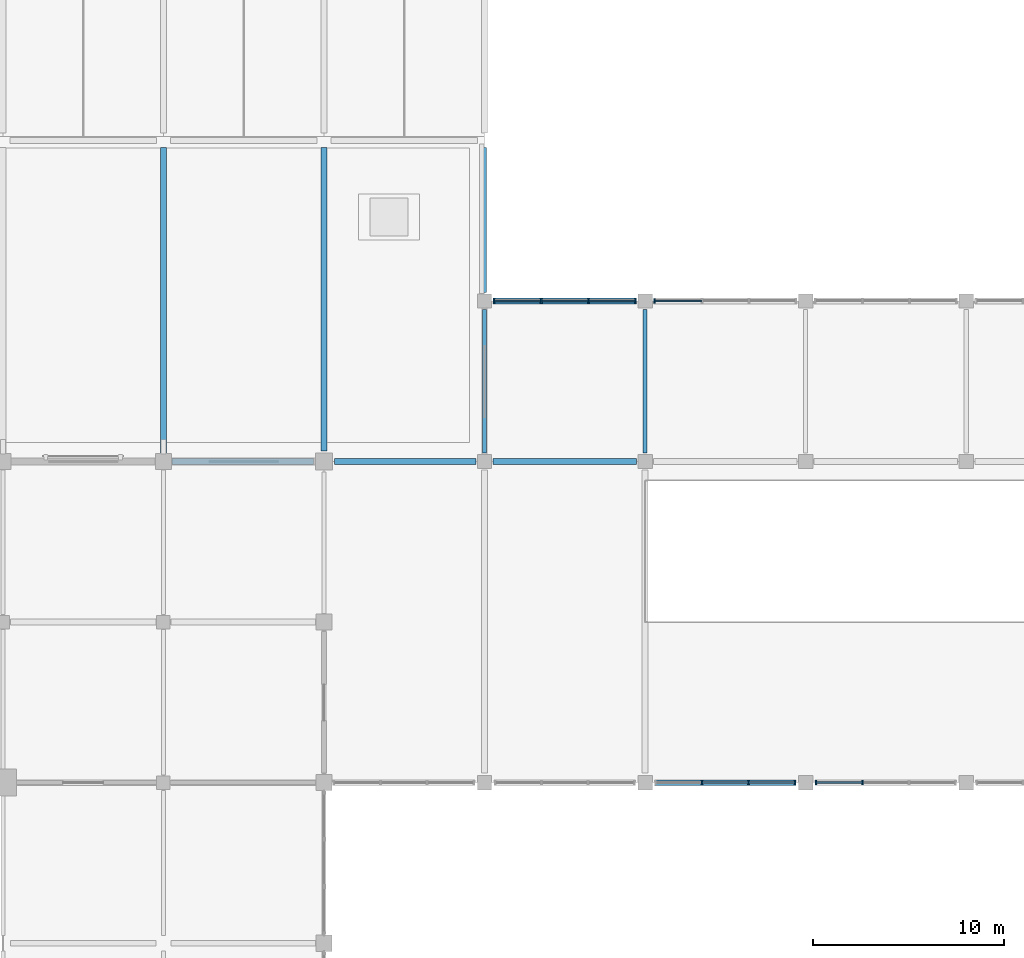
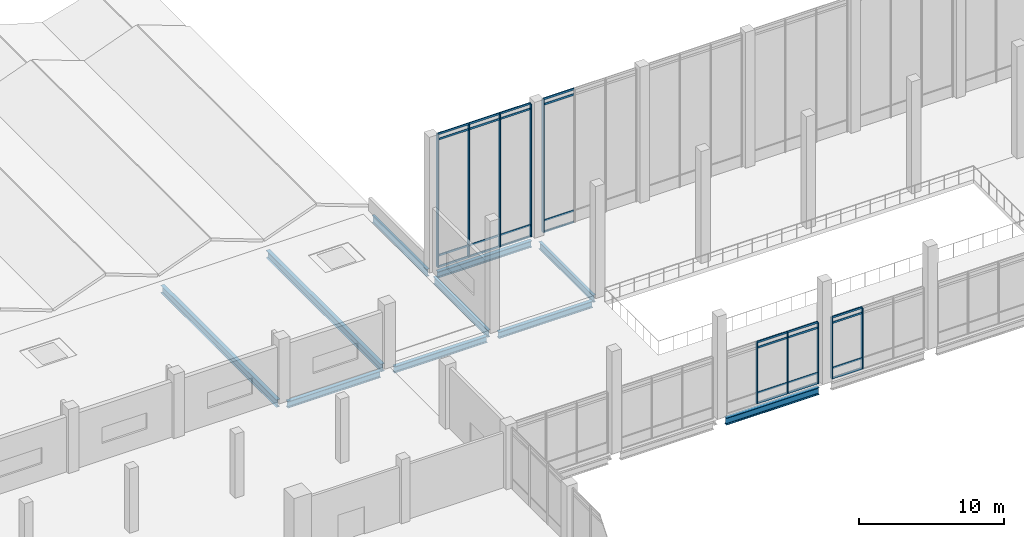
# One storey, part 16 of 72: 38 members, 10 beams, 4 elements without a shape of their own.
"""IFC4 building model written with IfcOpenShell, lengths in metres."""

from ifc_helpers import new_model, si_unit, direction, frame, origin, origin_2d, place, context, subcontext, project, spatial, rectangle, i_section, extrude, material, layer, layer_set, material_profile, profile_set, type_object, element, aggregate, save


model = new_model("IFC4")

# Units and contexts
model_context = context("Model", 3, precision=1e-05, world=origin(), true_north=direction((0.0, 1.0)))
body_context = subcontext(model_context, "Body", "Model", "MODEL_VIEW")
ifc_project = project(units=[si_unit("LENGTHUNIT", "METRE"), si_unit("AREAUNIT", "SQUARE_METRE"), si_unit("VOLUMEUNIT", "CUBIC_METRE"), si_unit("PLANEANGLEUNIT", "RADIAN"), si_unit("MASSUNIT", "GRAM", prefix="KILO")], contexts=[model_context])

# Site, building, storey
site_placement = place(None, origin())
site = spatial("IfcSite", under=ifc_project, at=site_placement, CompositionType="ELEMENT")
building_placement = place(site_placement, origin())
building = spatial("IfcBuilding", under=site, at=building_placement, Name="Qawsi Khor Wholesale Market", CompositionType="ELEMENT")
storey_placement = place(building_placement, frame((0.0, 0.0, 6.0)))
storey = spatial("IfcBuildingStorey", under=building, at=storey_placement, Name="L01", CompositionType="ELEMENT", Elevation=6.0)

# Curtain wall, members
ifc_material_1 = material(Name="Aluminium Anodised Bronze", Category="aluminium")
ifc_layer = layer(ifc_material_1, 0.219970703125, Name="Aluminium Anodised Bronze")
ifc_layer_set = layer_set([ifc_layer], Name="Aluminium Anodised Bronze")
curtain_wall_type = type_object("IfcCurtainWallType", Name="Auction Clerestory Curtain Wall CW-04", PredefinedType="NOTDEFINED", material=ifc_layer_set)
curtain_wall_1_placement = place(storey_placement, origin())
curtain_wall_1 = element("IfcCurtainWall", 1, at=curtain_wall_1_placement, inside=storey, type_object=curtain_wall_type, Name="Curtain wall CW-CW-04-L01-101", PredefinedType="NOTDEFINED")
ifc_material_profile_1 = material_profile(ifc_material_1, rectangle(XDim=0.080078125, YDim=0.239990234375, at=origin_2d()), Name="ALU MULLION 80x240")
ifc_profile_set_1 = profile_set([ifc_material_profile_1], Name="Aluminium Anodised Bronze")
member_type_1 = type_object("IfcMemberType", Name="Curtain Wall Mullion CW-04 ALU MULLION 80x240", PredefinedType="MULLION", material=ifc_profile_set_1)
member_1_placement = place(storey_placement, frame((84.5, 117.60009765625, -0.02001953125), z_axis=(0.0, 0.0, 1.0), x_axis=(1.0, 0.0, 0.0)))
member_1 = element("IfcMember", 2, at=member_1_placement, type_object=member_type_1, Name="Mullion CW-CW-04-L01-101-M00", PredefinedType="MULLION", context=body_context, shape_type="SweptSolid", body=[
    extrude(rectangle(XDim=0.080078125, YDim=0.239990234375, at=origin_2d()), origin(), (0.0, 0.0, 1.0), 11.219970703125),
])
member_2_placement = place(storey_placement, frame((86.966796875, 117.60009765625, -0.02001953125), z_axis=(0.0, 0.0, 1.0), x_axis=(1.0, 0.0, 0.0)))
member_2 = element("IfcMember", 3, at=member_2_placement, type_object=member_type_1, Name="Mullion CW-CW-04-L01-101-M01", PredefinedType="MULLION", context=body_context, shape_type="SweptSolid", body=[
    extrude(rectangle(XDim=0.080078125, YDim=0.239990234375, at=origin_2d()), origin(), (0.0, 0.0, 1.0), 11.219970703125),
])
member_3_placement = place(storey_placement, frame((89.433349609375, 117.60009765625, -0.02001953125), z_axis=(0.0, 0.0, 1.0), x_axis=(1.0, 0.0, 0.0)))
member_3 = element("IfcMember", 4, at=member_3_placement, type_object=member_type_1, Name="Mullion CW-CW-04-L01-101-M02", PredefinedType="MULLION", context=body_context, shape_type="SweptSolid", body=[
    extrude(rectangle(XDim=0.080078125, YDim=0.239990234375, at=origin_2d()), origin(), (0.0, 0.0, 1.0), 11.219970703125),
])
member_4_placement = place(storey_placement, frame((91.89990234375, 117.60009765625, -0.02001953125), z_axis=(0.0, 0.0, 1.0), x_axis=(1.0, 0.0, 0.0)))
member_4 = element("IfcMember", 5, at=member_4_placement, type_object=member_type_1, Name="Mullion CW-CW-04-L01-101-M03", PredefinedType="MULLION", context=body_context, shape_type="SweptSolid", body=[
    extrude(rectangle(XDim=0.080078125, YDim=0.239990234375, at=origin_2d()), origin(), (0.0, 0.0, 1.0), 11.219970703125),
])

curtain_wall_2_placement = place(storey_placement, origin())
curtain_wall_2 = element("IfcCurtainWall", 6, at=curtain_wall_2_placement, inside=storey, type_object=curtain_wall_type, Name="Curtain wall CW-CW-04-L01-103", PredefinedType="NOTDEFINED")
member_5_placement = place(storey_placement, frame((95.38330078125, 92.39990234375, -0.02001953125), z_axis=(0.0, 0.0, 1.0), x_axis=(1.0, 0.0, 0.0)))
member_5 = element("IfcMember", 7, at=member_5_placement, type_object=member_type_1, Name="Mullion CW-CW-04-L01-103-M01", PredefinedType="MULLION", context=body_context, shape_type="SweptSolid", body=[
    extrude(rectangle(XDim=0.080078125, YDim=0.239990234375, at=origin_2d()), origin(), (0.0, 0.0, 1.0), 5.14013671875),
])
member_6_placement = place(storey_placement, frame((97.816650390625, 92.39990234375, -0.02001953125), z_axis=(0.0, 0.0, 1.0), x_axis=(1.0, 0.0, 0.0)))
member_6 = element("IfcMember", 8, at=member_6_placement, type_object=member_type_1, Name="Mullion CW-CW-04-L01-103-M02", PredefinedType="MULLION", context=body_context, shape_type="SweptSolid", body=[
    extrude(rectangle(XDim=0.080078125, YDim=0.239990234375, at=origin_2d()), origin(), (0.0, 0.0, 1.0), 5.14013671875),
])
member_7_placement = place(storey_placement, frame((100.25, 92.39990234375, -0.02001953125), z_axis=(0.0, 0.0, 1.0), x_axis=(1.0, 0.0, 0.0)))
member_7 = element("IfcMember", 9, at=member_7_placement, type_object=member_type_1, Name="Mullion CW-CW-04-L01-103-M03", PredefinedType="MULLION", context=body_context, shape_type="SweptSolid", body=[
    extrude(rectangle(XDim=0.080078125, YDim=0.239990234375, at=origin_2d()), origin(), (0.0, 0.0, 1.0), 5.14013671875),
])

# Curtain wall, member
curtain_wall_3_placement = place(storey_placement, origin())
curtain_wall_3 = element("IfcCurtainWall", 10, at=curtain_wall_3_placement, inside=storey, type_object=curtain_wall_type, Name="Curtain wall CW-CW-04-L01-104", PredefinedType="NOTDEFINED")
member_8_placement = place(storey_placement, frame((92.89990234375, 117.60009765625, -0.02001953125), z_axis=(0.0, 0.0, 1.0), x_axis=(1.0, 0.0, 0.0)))
member_8 = element("IfcMember", 11, at=member_8_placement, type_object=member_type_1, Name="Mullion CW-CW-04-L01-104-M00", PredefinedType="MULLION", context=body_context, shape_type="SweptSolid", body=[
    extrude(rectangle(XDim=0.080078125, YDim=0.239990234375, at=origin_2d()), origin(), (0.0, 0.0, 1.0), 11.219970703125),
])

# Curtain wall, members
curtain_wall_4_placement = place(storey_placement, origin())
curtain_wall_4 = element("IfcCurtainWall", 12, at=curtain_wall_4_placement, inside=storey, type_object=curtain_wall_type, Name="Curtain wall CW-CW-04-L01-106", PredefinedType="NOTDEFINED")
member_9_placement = place(storey_placement, frame((101.35009765625, 92.39990234375, -0.02001953125), z_axis=(0.0, 0.0, 1.0), x_axis=(1.0, 0.0, 0.0)))
member_9 = element("IfcMember", 13, at=member_9_placement, type_object=member_type_1, Name="Mullion CW-CW-04-L01-106-M00", PredefinedType="MULLION", context=body_context, shape_type="SweptSolid", body=[
    extrude(rectangle(XDim=0.080078125, YDim=0.239990234375, at=origin_2d()), origin(), (0.0, 0.0, 1.0), 5.14013671875),
])
member_10_placement = place(storey_placement, frame((103.783203125, 92.39990234375, -0.02001953125), z_axis=(0.0, 0.0, 1.0), x_axis=(1.0, 0.0, 0.0)))
member_10 = element("IfcMember", 14, at=member_10_placement, type_object=member_type_1, Name="Mullion CW-CW-04-L01-106-M01", PredefinedType="MULLION", context=body_context, shape_type="SweptSolid", body=[
    extrude(rectangle(XDim=0.080078125, YDim=0.239990234375, at=origin_2d()), origin(), (0.0, 0.0, 1.0), 5.14013671875),
])

# Member
ifc_material_profile_2 = material_profile(ifc_material_1, rectangle(XDim=0.074951171875, YDim=0.159912109375, at=origin_2d()), Name="ALU TRANSOM 75x160")
ifc_profile_set_2 = profile_set([ifc_material_profile_2], Name="Aluminium Anodised Bronze")
member_type_2 = type_object("IfcMemberType", Name="Curtain Wall Transom CW-04 ALU TRANSOM 75x160", PredefinedType="USERDEFINED", material=ifc_profile_set_2)
member_11_placement = place(storey_placement, frame((84.5, 117.60009765625, 0.0), z_axis=(1.0, 0.0, 0.0), x_axis=(0.0, 1.0, 0.0)))
member_11 = element("IfcMember", 15, at=member_11_placement, type_object=member_type_2, Name="Transom CW-CW-04-L01-101-T0_00", ObjectType="TRANSOM", PredefinedType="USERDEFINED", context=body_context, shape_type="SweptSolid", body=[
    extrude(rectangle(XDim=0.074951171875, YDim=0.159912109375, at=origin_2d()), origin(), (0.0, 0.0, 1.0), 2.466796875),
])

member_12_placement = place(storey_placement, frame((86.966796875, 117.60009765625, 0.0), z_axis=(1.0, 0.0, 0.0), x_axis=(0.0, 1.0, 0.0)))
member_12 = element("IfcMember", 16, at=member_12_placement, type_object=member_type_2, Name="Transom CW-CW-04-L01-101-T0_01", ObjectType="TRANSOM", PredefinedType="USERDEFINED", context=body_context, shape_type="SweptSolid", body=[
    extrude(rectangle(XDim=0.074951171875, YDim=0.159912109375, at=origin_2d()), origin(), (0.0, 0.0, 1.0), 2.466552734375),
])

member_13_placement = place(storey_placement, frame((89.433349609375, 117.60009765625, 0.0), z_axis=(1.0, 0.0, 0.0), x_axis=(0.0, 1.0, 0.0)))
member_13 = element("IfcMember", 17, at=member_13_placement, type_object=member_type_2, Name="Transom CW-CW-04-L01-101-T0_02", ObjectType="TRANSOM", PredefinedType="USERDEFINED", context=body_context, shape_type="SweptSolid", body=[
    extrude(rectangle(XDim=0.074951171875, YDim=0.159912109375, at=origin_2d()), origin(), (0.0, 0.0, 1.0), 2.466552734375),
])

member_14_placement = place(storey_placement, frame((84.5, 117.60009765625, 0.949951171875), z_axis=(1.0, 0.0, 0.0), x_axis=(0.0, 1.0, 0.0)))
member_14 = element("IfcMember", 18, at=member_14_placement, type_object=member_type_2, Name="Transom CW-CW-04-L01-101-T1_00", ObjectType="TRANSOM", PredefinedType="USERDEFINED", context=body_context, shape_type="SweptSolid", body=[
    extrude(rectangle(XDim=0.074951171875, YDim=0.159912109375, at=origin_2d()), origin(), (0.0, 0.0, 1.0), 2.466796875),
])

member_15_placement = place(storey_placement, frame((86.966796875, 117.60009765625, 0.949951171875), z_axis=(1.0, 0.0, 0.0), x_axis=(0.0, 1.0, 0.0)))
member_15 = element("IfcMember", 19, at=member_15_placement, type_object=member_type_2, Name="Transom CW-CW-04-L01-101-T1_01", ObjectType="TRANSOM", PredefinedType="USERDEFINED", context=body_context, shape_type="SweptSolid", body=[
    extrude(rectangle(XDim=0.074951171875, YDim=0.159912109375, at=origin_2d()), origin(), (0.0, 0.0, 1.0), 2.466552734375),
])

member_16_placement = place(storey_placement, frame((89.433349609375, 117.60009765625, 0.949951171875), z_axis=(1.0, 0.0, 0.0), x_axis=(0.0, 1.0, 0.0)))
member_16 = element("IfcMember", 20, at=member_16_placement, type_object=member_type_2, Name="Transom CW-CW-04-L01-101-T1_02", ObjectType="TRANSOM", PredefinedType="USERDEFINED", context=body_context, shape_type="SweptSolid", body=[
    extrude(rectangle(XDim=0.074951171875, YDim=0.159912109375, at=origin_2d()), origin(), (0.0, 0.0, 1.0), 2.466552734375),
])

member_17_placement = place(storey_placement, frame((84.5, 117.60009765625, 10.75), z_axis=(1.0, 0.0, 0.0), x_axis=(0.0, 1.0, 0.0)))
member_17 = element("IfcMember", 21, at=member_17_placement, type_object=member_type_2, Name="Transom CW-CW-04-L01-101-T2_00", ObjectType="TRANSOM", PredefinedType="USERDEFINED", context=body_context, shape_type="SweptSolid", body=[
    extrude(rectangle(XDim=0.074951171875, YDim=0.159912109375, at=origin_2d()), origin(), (0.0, 0.0, 1.0), 2.466796875),
])

member_18_placement = place(storey_placement, frame((86.966796875, 117.60009765625, 10.75), z_axis=(1.0, 0.0, 0.0), x_axis=(0.0, 1.0, 0.0)))
member_18 = element("IfcMember", 22, at=member_18_placement, type_object=member_type_2, Name="Transom CW-CW-04-L01-101-T2_01", ObjectType="TRANSOM", PredefinedType="USERDEFINED", context=body_context, shape_type="SweptSolid", body=[
    extrude(rectangle(XDim=0.074951171875, YDim=0.159912109375, at=origin_2d()), origin(), (0.0, 0.0, 1.0), 2.466552734375),
])

member_19_placement = place(storey_placement, frame((89.433349609375, 117.60009765625, 10.75), z_axis=(1.0, 0.0, 0.0), x_axis=(0.0, 1.0, 0.0)))
member_19 = element("IfcMember", 23, at=member_19_placement, type_object=member_type_2, Name="Transom CW-CW-04-L01-101-T2_02", ObjectType="TRANSOM", PredefinedType="USERDEFINED", context=body_context, shape_type="SweptSolid", body=[
    extrude(rectangle(XDim=0.074951171875, YDim=0.159912109375, at=origin_2d()), origin(), (0.0, 0.0, 1.0), 2.466552734375),
])

member_20_placement = place(storey_placement, frame((84.5, 117.60009765625, 11.199951171875), z_axis=(1.0, 0.0, 0.0), x_axis=(0.0, 1.0, 0.0)))
member_20 = element("IfcMember", 24, at=member_20_placement, type_object=member_type_2, Name="Transom CW-CW-04-L01-101-T3_00", ObjectType="TRANSOM", PredefinedType="USERDEFINED", context=body_context, shape_type="SweptSolid", body=[
    extrude(rectangle(XDim=0.074951171875, YDim=0.159912109375, at=origin_2d()), origin(), (0.0, 0.0, 1.0), 2.466796875),
])

member_21_placement = place(storey_placement, frame((86.966796875, 117.60009765625, 11.199951171875), z_axis=(1.0, 0.0, 0.0), x_axis=(0.0, 1.0, 0.0)))
member_21 = element("IfcMember", 25, at=member_21_placement, type_object=member_type_2, Name="Transom CW-CW-04-L01-101-T3_01", ObjectType="TRANSOM", PredefinedType="USERDEFINED", context=body_context, shape_type="SweptSolid", body=[
    extrude(rectangle(XDim=0.074951171875, YDim=0.159912109375, at=origin_2d()), origin(), (0.0, 0.0, 1.0), 2.466552734375),
])

member_22_placement = place(storey_placement, frame((89.433349609375, 117.60009765625, 11.199951171875), z_axis=(1.0, 0.0, 0.0), x_axis=(0.0, 1.0, 0.0)))
member_22 = element("IfcMember", 26, at=member_22_placement, type_object=member_type_2, Name="Transom CW-CW-04-L01-101-T3_02", ObjectType="TRANSOM", PredefinedType="USERDEFINED", context=body_context, shape_type="SweptSolid", body=[
    extrude(rectangle(XDim=0.074951171875, YDim=0.159912109375, at=origin_2d()), origin(), (0.0, 0.0, 1.0), 2.466552734375),
])

aggregate(curtain_wall_1, [member_1, member_2, member_3, member_4, member_11, member_12, member_13, member_14, member_15, member_16, member_17, member_18, member_19, member_20, member_21, member_22])

member_23_placement = place(storey_placement, frame((95.38330078125, 92.39990234375, 0.0), z_axis=(1.0, 0.0, 0.0), x_axis=(0.0, 1.0, 0.0)))
member_23 = element("IfcMember", 27, at=member_23_placement, type_object=member_type_2, Name="Transom CW-CW-04-L01-103-T0_01", ObjectType="TRANSOM", PredefinedType="USERDEFINED", context=body_context, shape_type="SweptSolid", body=[
    extrude(rectangle(XDim=0.074951171875, YDim=0.159912109375, at=origin_2d()), origin(), (0.0, 0.0, 1.0), 2.433349609375),
])

member_24_placement = place(storey_placement, frame((97.816650390625, 92.39990234375, 0.0), z_axis=(1.0, 0.0, 0.0), x_axis=(0.0, 1.0, 0.0)))
member_24 = element("IfcMember", 28, at=member_24_placement, type_object=member_type_2, Name="Transom CW-CW-04-L01-103-T0_02", ObjectType="TRANSOM", PredefinedType="USERDEFINED", context=body_context, shape_type="SweptSolid", body=[
    extrude(rectangle(XDim=0.074951171875, YDim=0.159912109375, at=origin_2d()), origin(), (0.0, 0.0, 1.0), 2.433349609375),
])

member_25_placement = place(storey_placement, frame((95.38330078125, 92.39990234375, 0.85009765625), z_axis=(1.0, 0.0, 0.0), x_axis=(0.0, 1.0, 0.0)))
member_25 = element("IfcMember", 29, at=member_25_placement, type_object=member_type_2, Name="Transom CW-CW-04-L01-103-T1_01", ObjectType="TRANSOM", PredefinedType="USERDEFINED", context=body_context, shape_type="SweptSolid", body=[
    extrude(rectangle(XDim=0.074951171875, YDim=0.159912109375, at=origin_2d()), origin(), (0.0, 0.0, 1.0), 2.433349609375),
])

member_26_placement = place(storey_placement, frame((97.816650390625, 92.39990234375, 0.85009765625), z_axis=(1.0, 0.0, 0.0), x_axis=(0.0, 1.0, 0.0)))
member_26 = element("IfcMember", 30, at=member_26_placement, type_object=member_type_2, Name="Transom CW-CW-04-L01-103-T1_02", ObjectType="TRANSOM", PredefinedType="USERDEFINED", context=body_context, shape_type="SweptSolid", body=[
    extrude(rectangle(XDim=0.074951171875, YDim=0.159912109375, at=origin_2d()), origin(), (0.0, 0.0, 1.0), 2.433349609375),
])

member_27_placement = place(storey_placement, frame((95.38330078125, 92.39990234375, 4.669921875), z_axis=(1.0, 0.0, 0.0), x_axis=(0.0, 1.0, 0.0)))
member_27 = element("IfcMember", 31, at=member_27_placement, type_object=member_type_2, Name="Transom CW-CW-04-L01-103-T2_01", ObjectType="TRANSOM", PredefinedType="USERDEFINED", context=body_context, shape_type="SweptSolid", body=[
    extrude(rectangle(XDim=0.074951171875, YDim=0.159912109375, at=origin_2d()), origin(), (0.0, 0.0, 1.0), 2.433349609375),
])

member_28_placement = place(storey_placement, frame((97.816650390625, 92.39990234375, 4.669921875), z_axis=(1.0, 0.0, 0.0), x_axis=(0.0, 1.0, 0.0)))
member_28 = element("IfcMember", 32, at=member_28_placement, type_object=member_type_2, Name="Transom CW-CW-04-L01-103-T2_02", ObjectType="TRANSOM", PredefinedType="USERDEFINED", context=body_context, shape_type="SweptSolid", body=[
    extrude(rectangle(XDim=0.074951171875, YDim=0.159912109375, at=origin_2d()), origin(), (0.0, 0.0, 1.0), 2.433349609375),
])

member_29_placement = place(storey_placement, frame((95.38330078125, 92.39990234375, 5.1201171875), z_axis=(1.0, 0.0, 0.0), x_axis=(0.0, 1.0, 0.0)))
member_29 = element("IfcMember", 33, at=member_29_placement, type_object=member_type_2, Name="Transom CW-CW-04-L01-103-T3_01", ObjectType="TRANSOM", PredefinedType="USERDEFINED", context=body_context, shape_type="SweptSolid", body=[
    extrude(rectangle(XDim=0.074951171875, YDim=0.159912109375, at=origin_2d()), origin(), (0.0, 0.0, 1.0), 2.433349609375),
])

member_30_placement = place(storey_placement, frame((97.816650390625, 92.39990234375, 5.1201171875), z_axis=(1.0, 0.0, 0.0), x_axis=(0.0, 1.0, 0.0)))
member_30 = element("IfcMember", 34, at=member_30_placement, type_object=member_type_2, Name="Transom CW-CW-04-L01-103-T3_02", ObjectType="TRANSOM", PredefinedType="USERDEFINED", context=body_context, shape_type="SweptSolid", body=[
    extrude(rectangle(XDim=0.074951171875, YDim=0.159912109375, at=origin_2d()), origin(), (0.0, 0.0, 1.0), 2.433349609375),
])

aggregate(curtain_wall_2, [member_5, member_6, member_7, member_23, member_24, member_25, member_26, member_27, member_28, member_29, member_30])

member_31_placement = place(storey_placement, frame((92.89990234375, 117.60009765625, 0.0), z_axis=(1.0, 0.0, 0.0), x_axis=(0.0, 1.0, 0.0)))
member_31 = element("IfcMember", 35, at=member_31_placement, type_object=member_type_2, Name="Transom CW-CW-04-L01-104-T0_00", ObjectType="TRANSOM", PredefinedType="USERDEFINED", context=body_context, shape_type="SweptSolid", body=[
    extrude(rectangle(XDim=0.074951171875, YDim=0.159912109375, at=origin_2d()), origin(), (0.0, 0.0, 1.0), 2.466796875),
])

member_32_placement = place(storey_placement, frame((92.89990234375, 117.60009765625, 0.949951171875), z_axis=(1.0, 0.0, 0.0), x_axis=(0.0, 1.0, 0.0)))
member_32 = element("IfcMember", 36, at=member_32_placement, type_object=member_type_2, Name="Transom CW-CW-04-L01-104-T1_00", ObjectType="TRANSOM", PredefinedType="USERDEFINED", context=body_context, shape_type="SweptSolid", body=[
    extrude(rectangle(XDim=0.074951171875, YDim=0.159912109375, at=origin_2d()), origin(), (0.0, 0.0, 1.0), 2.466796875),
])

member_33_placement = place(storey_placement, frame((92.89990234375, 117.60009765625, 10.75), z_axis=(1.0, 0.0, 0.0), x_axis=(0.0, 1.0, 0.0)))
member_33 = element("IfcMember", 37, at=member_33_placement, type_object=member_type_2, Name="Transom CW-CW-04-L01-104-T2_00", ObjectType="TRANSOM", PredefinedType="USERDEFINED", context=body_context, shape_type="SweptSolid", body=[
    extrude(rectangle(XDim=0.074951171875, YDim=0.159912109375, at=origin_2d()), origin(), (0.0, 0.0, 1.0), 2.466796875),
])

member_34_placement = place(storey_placement, frame((92.89990234375, 117.60009765625, 11.199951171875), z_axis=(1.0, 0.0, 0.0), x_axis=(0.0, 1.0, 0.0)))
member_34 = element("IfcMember", 38, at=member_34_placement, type_object=member_type_2, Name="Transom CW-CW-04-L01-104-T3_00", ObjectType="TRANSOM", PredefinedType="USERDEFINED", context=body_context, shape_type="SweptSolid", body=[
    extrude(rectangle(XDim=0.074951171875, YDim=0.159912109375, at=origin_2d()), origin(), (0.0, 0.0, 1.0), 2.466796875),
])

aggregate(curtain_wall_3, [member_8, member_31, member_32, member_33, member_34])

member_35_placement = place(storey_placement, frame((101.35009765625, 92.39990234375, 0.0), z_axis=(1.0, 0.0, 0.0), x_axis=(0.0, 1.0, 0.0)))
member_35 = element("IfcMember", 39, at=member_35_placement, type_object=member_type_2, Name="Transom CW-CW-04-L01-106-T0_00", ObjectType="TRANSOM", PredefinedType="USERDEFINED", context=body_context, shape_type="SweptSolid", body=[
    extrude(rectangle(XDim=0.074951171875, YDim=0.159912109375, at=origin_2d()), origin(), (0.0, 0.0, 1.0), 2.43310546875),
])

member_36_placement = place(storey_placement, frame((101.35009765625, 92.39990234375, 0.85009765625), z_axis=(1.0, 0.0, 0.0), x_axis=(0.0, 1.0, 0.0)))
member_36 = element("IfcMember", 40, at=member_36_placement, type_object=member_type_2, Name="Transom CW-CW-04-L01-106-T1_00", ObjectType="TRANSOM", PredefinedType="USERDEFINED", context=body_context, shape_type="SweptSolid", body=[
    extrude(rectangle(XDim=0.074951171875, YDim=0.159912109375, at=origin_2d()), origin(), (0.0, 0.0, 1.0), 2.43310546875),
])

member_37_placement = place(storey_placement, frame((101.35009765625, 92.39990234375, 4.669921875), z_axis=(1.0, 0.0, 0.0), x_axis=(0.0, 1.0, 0.0)))
member_37 = element("IfcMember", 41, at=member_37_placement, type_object=member_type_2, Name="Transom CW-CW-04-L01-106-T2_00", ObjectType="TRANSOM", PredefinedType="USERDEFINED", context=body_context, shape_type="SweptSolid", body=[
    extrude(rectangle(XDim=0.074951171875, YDim=0.159912109375, at=origin_2d()), origin(), (0.0, 0.0, 1.0), 2.43310546875),
])

member_38_placement = place(storey_placement, frame((101.35009765625, 92.39990234375, 5.1201171875), z_axis=(1.0, 0.0, 0.0), x_axis=(0.0, 1.0, 0.0)))
member_38 = element("IfcMember", 42, at=member_38_placement, type_object=member_type_2, Name="Transom CW-CW-04-L01-106-T3_00", ObjectType="TRANSOM", PredefinedType="USERDEFINED", context=body_context, shape_type="SweptSolid", body=[
    extrude(rectangle(XDim=0.074951171875, YDim=0.159912109375, at=origin_2d()), origin(), (0.0, 0.0, 1.0), 2.43310546875),
])

aggregate(curtain_wall_4, [member_9, member_10, member_35, member_36, member_37, member_38])

# Beams
ifc_material_2 = material(Name="Steel S355", Category="steel")
ifc_material_profile_3 = material_profile(ifc_material_2, i_section(OverallWidth=0.300048828125, OverallDepth=0.60009765625, WebThickness=0.015380859375, FlangeThickness=0.030029296875, FilletRadius=0.027099609375, at=origin_2d()), Name="HEB 600")
ifc_profile_set_3 = profile_set([ifc_material_profile_3], Name="Steel S355")
beam_type_1 = type_object("IfcBeamType", Name="Heavy Edge Girder HEB 600", PredefinedType="BEAM", material=ifc_profile_set_3)
beam_1_placement = place(storey_placement, frame((92.89990234375, 92.39990234375, -0.6298828125), z_axis=(1.0, 0.0, 0.0), x_axis=(0.0, 1.0, 0.0)))
element("IfcBeam", 43, at=beam_1_placement, inside=storey, type_object=beam_type_1, Name="BM-X-L01-11_+11", PredefinedType="BEAM", context=body_context, shape_type="SweptSolid", body=[
    extrude(i_section(OverallWidth=0.300048828125, OverallDepth=0.60009765625, WebThickness=0.015380859375, FlangeThickness=0.030029296875, FilletRadius=0.027099609375, at=origin_2d()), origin(), (0.0, 0.0, 1.0), 7.400146484375),
])
ifc_material_profile_4 = material_profile(ifc_material_2, i_section(OverallWidth=0.300048828125, OverallDepth=0.5400390625, WebThickness=0.012451171875, FlangeThickness=0.02392578125, FilletRadius=0.027099609375, at=origin_2d()), Name="HEA 550")
ifc_profile_set_4 = profile_set([ifc_material_profile_4], Name="Steel S355")
beam_type_2 = type_object("IfcBeamType", Name="Primary Girder HEA 550", PredefinedType="BEAM", material=ifc_profile_set_4)
for number, where, z_axis, x_axis, name in (
    (44, (67.64990234375, 109.199951171875, -0.570068359375), (1.0, 0.0, 0.0), (0.0, 1.0, 0.0), "BM-X-L01-08_+13"),
    (45, (76.14990234375, 109.199951171875, -0.60009765625), (1.0, 0.0, 0.0), (0.0, 1.0, 0.0), "BM-X-L01-09_+13"),
):
    element("IfcBeam", number, at=place(storey_placement, frame(where, z_axis=z_axis, x_axis=x_axis)), inside=storey, type_object=beam_type_2, Name=name, PredefinedType="BEAM", context=body_context, shape_type="SweptSolid", body=[
        extrude(i_section(OverallWidth=0.300048828125, OverallDepth=0.5400390625, WebThickness=0.012451171875, FlangeThickness=0.02392578125, FilletRadius=0.027099609375, at=origin_2d()), origin(), (0.0, 0.0, 1.0), 7.400146484375),
    ])
for number, where, z_axis, x_axis, name in (
    (46, (84.449951171875, 109.199951171875, -0.60009765625), (1.0, 0.0, 0.0), (0.0, 1.0, 0.0), "BM-X-L01-10_+13"),
    (47, (84.449951171875, 117.60009765625, -0.60009765625), (1.0, 0.0, 0.0), (0.0, 1.0, 0.0), "BM-X-L01-10_+14"),
):
    element("IfcBeam", number, at=place(storey_placement, frame(where, z_axis=z_axis, x_axis=x_axis)), inside=storey, type_object=beam_type_2, Name=name, PredefinedType="BEAM", context=body_context, shape_type="SweptSolid", body=[
        extrude(i_section(OverallWidth=0.300048828125, OverallDepth=0.5400390625, WebThickness=0.012451171875, FlangeThickness=0.02392578125, FilletRadius=0.027099609375, at=origin_2d()), origin(), (0.0, 0.0, 1.0), 7.5),
    ])
ifc_material_profile_5 = material_profile(ifc_material_2, i_section(OverallWidth=0.300048828125, OverallDepth=0.639892578125, WebThickness=0.013427734375, FlangeThickness=0.02587890625, FilletRadius=0.027099609375, at=origin_2d()), Name="HEA 650")
ifc_profile_set_5 = profile_set([ifc_material_profile_5], Name="Steel S355")
beam_type_3 = type_object("IfcBeamType", Name="Primary Girder HEA 650", PredefinedType="BEAM", material=ifc_profile_set_5)
beam_2_placement = place(storey_placement, frame((67.199951171875, 109.64990234375, -0.6201171875), z_axis=(0.0, 1.0, 0.0), x_axis=(-1.0, 0.0, 0.0)))
element("IfcBeam", 48, at=beam_2_placement, inside=storey, type_object=beam_type_3, Name="BM-YL-L01-08_+13", PredefinedType="BEAM", context=body_context, shape_type="SweptSolid", body=[
    extrude(i_section(OverallWidth=0.300048828125, OverallDepth=0.639892578125, WebThickness=0.013427734375, FlangeThickness=0.02587890625, FilletRadius=0.027099609375, at=origin_2d()), origin(), (0.0, 0.0, 1.0), 15.97509765625),
])
beam_3_placement = place(storey_placement, frame((75.60009765625, 109.75, -0.6201171875), z_axis=(0.0, 1.0, 0.0), x_axis=(-1.0, 0.0, 0.0)))
element("IfcBeam", 49, at=beam_3_placement, inside=storey, type_object=beam_type_3, Name="BM-YL-L01-09_+13", PredefinedType="BEAM", context=body_context, shape_type="SweptSolid", body=[
    extrude(i_section(OverallWidth=0.300048828125, OverallDepth=0.639892578125, WebThickness=0.013427734375, FlangeThickness=0.02587890625, FilletRadius=0.027099609375, at=origin_2d()), origin(), (0.0, 0.0, 1.0), 15.875),
])
ifc_material_profile_6 = material_profile(ifc_material_2, i_section(OverallWidth=0.219970703125, OverallDepth=0.60009765625, WebThickness=0.011962890625, FlangeThickness=0.01904296875, FilletRadius=0.02392578125, at=origin_2d()), Name="IPE 600")
ifc_profile_set_6 = profile_set([ifc_material_profile_6], Name="Steel S355")
beam_type_4 = type_object("IfcBeamType", Name="Secondary Beam IPE 600", PredefinedType="BEAM", material=ifc_profile_set_6)
beam_4_placement = place(storey_placement, frame((84.0, 109.64990234375, -0.6298828125), z_axis=(0.0, 1.0, 0.0), x_axis=(-1.0, 0.0, 0.0)))
element("IfcBeam", 50, at=beam_4_placement, inside=storey, type_object=beam_type_4, Name="BM-Y-L01-10_+13", PredefinedType="BEAM", context=body_context, shape_type="SweptSolid", body=[
    extrude(i_section(OverallWidth=0.219970703125, OverallDepth=0.60009765625, WebThickness=0.011962890625, FlangeThickness=0.01904296875, FilletRadius=0.02392578125, at=origin_2d()), origin(), (0.0, 0.0, 1.0), 7.5),
])
beam_5_placement = place(storey_placement, frame((84.0, 118.050048828125, -0.60009765625), z_axis=(0.0, 1.0, 0.0), x_axis=(-1.0, 0.0, 0.0)))
element("IfcBeam", 51, at=beam_5_placement, inside=storey, type_object=beam_type_4, Name="BM-Y-L01-10_+14", PredefinedType="BEAM", context=body_context, shape_type="SweptSolid", body=[
    extrude(i_section(OverallWidth=0.219970703125, OverallDepth=0.60009765625, WebThickness=0.011962890625, FlangeThickness=0.01904296875, FilletRadius=0.02392578125, at=origin_2d()), origin(), (0.0, 0.0, 1.0), 7.574951171875),
])
beam_6_placement = place(storey_placement, frame((92.39990234375, 109.64990234375, -0.6298828125), z_axis=(0.0, 1.0, 0.0), x_axis=(-1.0, 0.0, 0.0)))
element("IfcBeam", 52, at=beam_6_placement, inside=storey, type_object=beam_type_4, Name="BM-Y-L01-11_+13", PredefinedType="BEAM", context=body_context, shape_type="SweptSolid", body=[
    extrude(i_section(OverallWidth=0.219970703125, OverallDepth=0.60009765625, WebThickness=0.011962890625, FlangeThickness=0.01904296875, FilletRadius=0.02392578125, at=origin_2d()), origin(), (0.0, 0.0, 1.0), 7.5),
])

save(model, "model.ifc")
